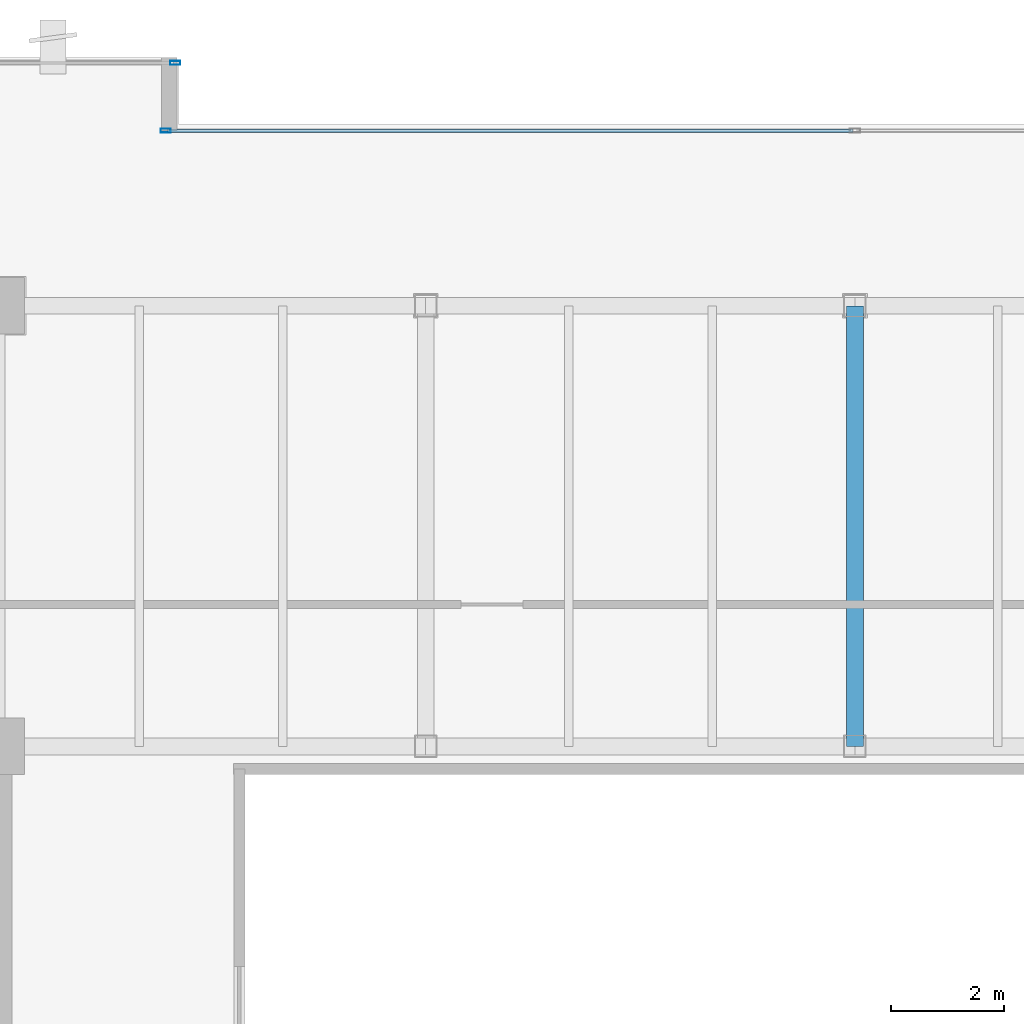
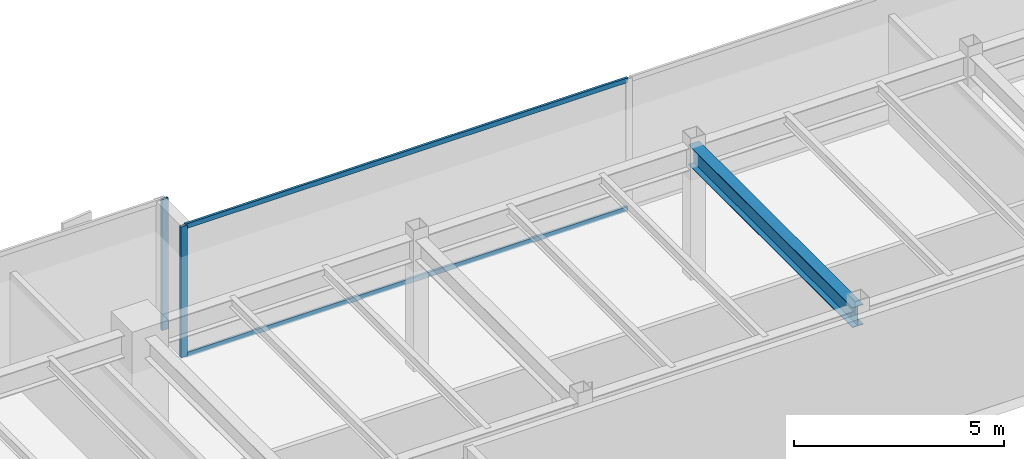
# One storey, part 17 of 36: 4 members, 1 beam, 2 elements without a shape of their own.
"""IFC4 building model written with IfcOpenShell, lengths in metres."""

from ifc_helpers import new_model, si_unit, direction, frame, origin, origin_2d, place, context, subcontext, project, spatial, hollow_rectangle, i_section, extrude, source, transform, mapped, material, layer, layer_set, material_profile, profile_set, type_object, type_shapes, element, aggregate, save


model = new_model("IFC4")

# Units and contexts
model_context = context("Model", 3, precision=1e-05, world=origin(), true_north=direction((0.0, 1.0)))
body_context = subcontext(model_context, "Body", "Model", "MODEL_VIEW")
ifc_project = project(units=[si_unit("LENGTHUNIT", "METRE"), si_unit("AREAUNIT", "SQUARE_METRE"), si_unit("VOLUMEUNIT", "CUBIC_METRE"), si_unit("PLANEANGLEUNIT", "RADIAN"), si_unit("MASSUNIT", "GRAM", prefix="KILO")], contexts=[model_context])

# Site, building, storey
site_placement = place(None, origin())
site = spatial("IfcSite", under=ifc_project, at=site_placement, CompositionType="ELEMENT")
building_placement = place(site_placement, origin())
building = spatial("IfcBuilding", under=site, at=building_placement, Name="Haelvirn Gate Laboratories", CompositionType="ELEMENT")
storey_placement = place(building_placement, frame((0.0, 0.0, 242.39990234375)))
storey = spatial("IfcBuildingStorey", under=building, at=storey_placement, Name="L58", CompositionType="ELEMENT", Elevation=242.39990234375)

# Beam
ifc_material_1 = material(Name="Steel SM355", Category="steel")
ifc_material_profile_1 = material_profile(ifc_material_1, i_section(OverallWidth=0.300048828125, OverallDepth=0.587890625, WebThickness=0.011962890625, FlangeThickness=0.02001953125, at=origin_2d()), Name="H-588x300x12x20")
ifc_profile_set_1 = profile_set([ifc_material_profile_1], Name="Steel SM355")
beam_type = type_object("IfcBeamType", Name="BM-G-588", PredefinedType="BEAM", material=ifc_profile_set_1)
shared_shape_1 = source(origin(), body_context, "Body", "SweptSolid", [
    extrude(i_section(OverallWidth=0.300048828125, OverallDepth=0.587890625, WebThickness=0.011962890625, FlangeThickness=0.02001953125, at=origin_2d()), origin(), (0.0, 0.0, 1.0), 7.800048828125),
])
type_shapes(beam_type, [shared_shape_1])
beam_placement = place(storey_placement, frame((37.39990234375, 33.800048828125, 3.506103515625), z_axis=(0.0, 1.0, 0.0), x_axis=(-1.0, 0.0, 0.0)))
element("IfcBeam", 1, at=beam_placement, inside=storey, type_object=beam_type, Name="L58 Frame Girder X37.4 (33.8-41.6)", PredefinedType="BEAM", context=body_context, shape_type="MappedRepresentation", body=[
    mapped(shared_shape_1, transform((0.0, 0.0, 0.0), scale=1.0)),
])

# Curtain wall, members
ifc_material_2 = material(Name="Anodised bronze unitised aluminium & triple low-E glass", Category="aluminium")
ifc_layer = layer(ifc_material_2, 0.176025390625, Name="CW-SYS-4")
ifc_layer_set = layer_set([ifc_layer], Name="Anodised bronze unitised aluminium & triple low-E glass")
curtain_wall_type = type_object("IfcCurtainWallType", Name="CW-SYS-4", PredefinedType="NOTDEFINED", material=ifc_layer_set)
curtain_wall_1_placement = place(storey_placement, origin())
curtain_wall_1 = element("IfcCurtainWall", 2, at=curtain_wall_1_placement, inside=storey, type_object=curtain_wall_type, Name="L58 Unitised Curtain Wall CW-L58-P0-E12-1", PredefinedType="NOTDEFINED")
ifc_material_3 = material(Name="Extruded aluminium 6063-T6 (anodised bronze)", Category="aluminium")
ifc_material_profile_2 = material_profile(ifc_material_3, hollow_rectangle(XDim=0.06494140625, YDim=0.139892578125, WallThickness=0.00390625, at=origin_2d()), Name="CWT-140x65x4")
ifc_profile_set_2 = profile_set([ifc_material_profile_2], Name="Extruded aluminium 6063-T6 (anodised bronze)")
member_type_1 = type_object("IfcMemberType", Name="CWT-T140", PredefinedType="USERDEFINED", material=ifc_profile_set_2)
shared_shape_2 = source(origin(), body_context, "Body", "SweptSolid", [
    extrude(hollow_rectangle(XDim=0.06494140625, YDim=0.139892578125, WallThickness=0.00390625, at=origin_2d()), origin(), (0.0, 0.0, 1.0), 12.135009765625),
])
type_shapes(member_type_1, [shared_shape_2])
member_1_placement = place(storey_placement, frame((25.22998046875, 44.699951171875, 0.03271484375), z_axis=(1.0, 0.0, 0.0), x_axis=(0.0, 1.0, 0.0)))
member_1 = element("IfcMember", 3, at=member_1_placement, type_object=member_type_1, Name="CW4 transom 1.1", ObjectType="TRANSOM", PredefinedType="USERDEFINED", context=body_context, shape_type="MappedRepresentation", body=[
    mapped(shared_shape_2, transform((0.0, 0.0, 0.0), scale=1.0)),
])
member_2_placement = place(storey_placement, frame((25.22998046875, 44.699951171875, 3.767578125), z_axis=(1.0, 0.0, 0.0), x_axis=(0.0, 1.0, 0.0)))
member_2 = element("IfcMember", 4, at=member_2_placement, type_object=member_type_1, Name="CW4 transom 1.2", ObjectType="TRANSOM", PredefinedType="USERDEFINED", context=body_context, shape_type="MappedRepresentation", body=[
    mapped(shared_shape_2, transform((0.0, 0.0, 0.0), scale=1.0)),
])
ifc_material_profile_3 = material_profile(ifc_material_3, hollow_rectangle(XDim=0.070068359375, YDim=0.179931640625, WallThickness=0.0048828125, at=origin_2d()), Name="CWM-180x70x5")
ifc_profile_set_3 = profile_set([ifc_material_profile_3], Name="Extruded aluminium 6063-T6 (anodised bronze)")
member_type_2 = type_object("IfcMemberType", Name="CWM-T180", PredefinedType="MULLION", material=ifc_profile_set_3)
shared_shape_3 = source(origin(), body_context, "Body", "SweptSolid", [
    extrude(hollow_rectangle(XDim=0.070068359375, YDim=0.179931640625, WallThickness=0.0048828125, at=origin_2d()), origin(), (0.0, 0.0, 1.0), 3.800048828125),
])
type_shapes(member_type_2, [shared_shape_3])
member_3_placement = place(storey_placement, frame((25.195068359375, 44.699951171875, 0.0), z_axis=(0.0, 0.0, 1.0), x_axis=(0.0, 1.0, 0.0)))
member_3 = element("IfcMember", 5, at=member_3_placement, type_object=member_type_2, Name="CW4 mullion 1", PredefinedType="MULLION", context=body_context, shape_type="MappedRepresentation", body=[
    mapped(shared_shape_3, transform((0.0, 0.0, 0.0), scale=1.0)),
])
aggregate(curtain_wall_1, [member_3, member_1, member_2])

# Curtain wall, member
curtain_wall_2_placement = place(storey_placement, origin())
curtain_wall_2 = element("IfcCurtainWall", 6, at=curtain_wall_2_placement, inside=storey, type_object=curtain_wall_type, Name="L58 Unitised Curtain Wall CW-L58-P0-E14-1", PredefinedType="NOTDEFINED")
member_4_placement = place(storey_placement, frame((25.364990234375, 45.89990234375, 0.0), z_axis=(0.0, 0.0, 1.0), x_axis=(0.0, 1.0, 0.0)))
member_4 = element("IfcMember", 7, at=member_4_placement, type_object=member_type_2, Name="CW4 mullion 3", PredefinedType="MULLION", context=body_context, shape_type="MappedRepresentation", body=[
    mapped(shared_shape_3, transform((0.0, 0.0, 0.0), scale=1.0)),
])
aggregate(curtain_wall_2, [member_4])

save(model, "model.ifc")
